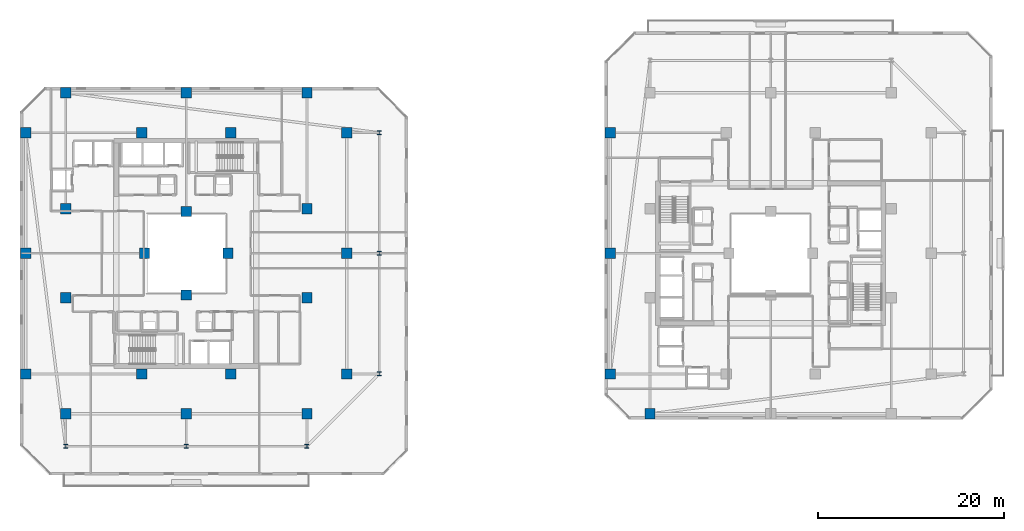
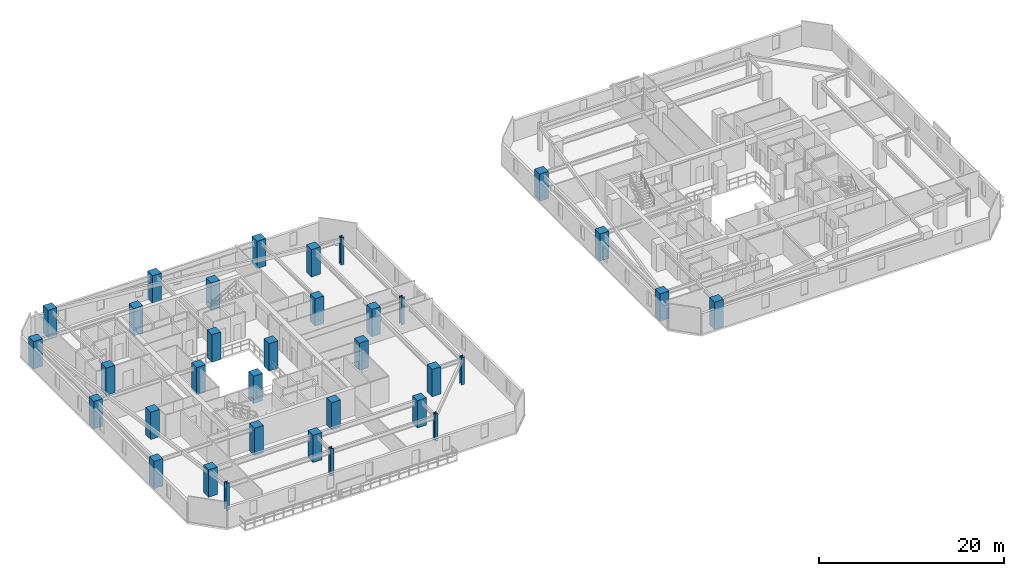
# One storey, part 1 of 33: 34 columns.
"""IFC4 building model written with IfcOpenShell, lengths in metres."""

from ifc_helpers import new_model, si_unit, direction, frame, origin, origin_2d, place, context, subcontext, project, spatial, rectangle, i_section, extrude, material, material_profile, profile_set, type_object, element, save


model = new_model("IFC4")

# Units and contexts
model_context = context("Model", 3, precision=1e-05, world=origin(), true_north=direction((0.0, 1.0)))
body_context = subcontext(model_context, "Body", "Model", "MODEL_VIEW")
ifc_project = project(units=[si_unit("LENGTHUNIT", "METRE"), si_unit("AREAUNIT", "SQUARE_METRE"), si_unit("VOLUMEUNIT", "CUBIC_METRE"), si_unit("PLANEANGLEUNIT", "RADIAN"), si_unit("MASSUNIT", "GRAM", prefix="KILO")], contexts=[model_context])

# Site, building, storey
site_placement = place(None, origin())
site = spatial("IfcSite", under=ifc_project, at=site_placement, CompositionType="ELEMENT")
building_placement = place(site_placement, origin())
building = spatial("IfcBuilding", under=site, at=building_placement, Name="Thornwick Lancets Civic Towers", CompositionType="ELEMENT")
storey_placement = place(building_placement, frame((0.0, 0.0, 163.5)))
storey = spatial("IfcBuildingStorey", under=building, at=storey_placement, Name="L43", CompositionType="ELEMENT", Elevation=163.5)

# Columns
ifc_material_1 = material(Name="Concrete C50/60", Category="concrete")
ifc_material_profile_1 = material_profile(ifc_material_1, rectangle(XDim=1.10009765625, YDim=1.10009765625, at=origin_2d()), Name="RC 1100x1100")
ifc_profile_set_1 = profile_set([ifc_material_profile_1], Name="Concrete C50/60")
column_type_1 = type_object("IfcColumnType", Name="COL_RC_1100", PredefinedType="COLUMN", material=ifc_profile_set_1)
for number, where, z_axis, x_axis, name in (
    (1, (12.5, 9.699951171875, 0.0), (0.0, 0.0, 1.0), (1.0, 0.0, 0.0), "L43 Spine Mega-Column A01"),
    (2, (25.5, 9.699951171875, 0.0), (0.0, 0.0, 1.0), (1.0, 0.0, 0.0), "L43 Spine Mega-Column A02"),
    (3, (38.5, 9.699951171875, 0.0), (0.0, 0.0, 1.0), (1.0, 0.0, 0.0), "L43 Spine Mega-Column A03"),
    (4, (42.800048828125, 14.0, 0.0), (0.0, 0.0, 1.0), (1.0, 0.0, 0.0), "L43 Spine Mega-Column A04"),
    (5, (42.800048828125, 27.0, 0.0), (0.0, 0.0, 1.0), (1.0, 0.0, 0.0), "L43 Spine Mega-Column A05"),
    (6, (42.800048828125, 40.0, 0.0), (0.0, 0.0, 1.0), (1.0, 0.0, 0.0), "L43 Spine Mega-Column A06"),
    (7, (12.5, 44.300048828125, 0.0), (0.0, 0.0, 1.0), (1.0, 0.0, 0.0), "L43 Spine Mega-Column A07"),
    (8, (25.5, 44.300048828125, 0.0), (0.0, 0.0, 1.0), (1.0, 0.0, 0.0), "L43 Spine Mega-Column A08"),
    (9, (38.5, 44.300048828125, 0.0), (0.0, 0.0, 1.0), (1.0, 0.0, 0.0), "L43 Spine Mega-Column A09"),
    (10, (8.199951171875, 14.0, 0.0), (0.0, 0.0, 1.0), (1.0, 0.0, 0.0), "L43 Spine Mega-Column A10"),
    (11, (8.199951171875, 27.0, 0.0), (0.0, 0.0, 1.0), (1.0, 0.0, 0.0), "L43 Spine Mega-Column A11"),
    (12, (8.199951171875, 40.0, 0.0), (0.0, 0.0, 1.0), (1.0, 0.0, 0.0), "L43 Spine Mega-Column A12"),
    (13, (12.5, 22.199951171875, 0.0), (0.0, 0.0, 1.0), (1.0, 0.0, 0.0), "L43 Spine Mega-Column A13"),
    (14, (38.5, 22.199951171875, 0.0), (0.0, 0.0, 1.0), (1.0, 0.0, 0.0), "L43 Spine Mega-Column A14"),
    (15, (12.5, 31.800048828125, 0.0), (0.0, 0.0, 1.0), (1.0, 0.0, 0.0), "L43 Spine Mega-Column A15"),
    (16, (38.5, 31.800048828125, 0.0), (0.0, 0.0, 1.0), (1.0, 0.0, 0.0), "L43 Spine Mega-Column A16"),
    (17, (20.699951171875, 14.0, 0.0), (0.0, 0.0, 1.0), (1.0, 0.0, 0.0), "L43 Spine Mega-Column A17"),
    (18, (30.300048828125, 14.0, 0.0), (0.0, 0.0, 1.0), (1.0, 0.0, 0.0), "L43 Spine Mega-Column A18"),
    (19, (20.699951171875, 40.0, 0.0), (0.0, 0.0, 1.0), (1.0, 0.0, 0.0), "L43 Spine Mega-Column A19"),
    (20, (30.300048828125, 40.0, 0.0), (0.0, 0.0, 1.0), (1.0, 0.0, 0.0), "L43 Spine Mega-Column A20"),
    (21, (25.5, 22.5, 0.0), (0.0, 0.0, 1.0), (1.0, 0.0, 0.0), "L43 Spine Mega-Column A21"),
    (22, (25.5, 31.5, 0.0), (0.0, 0.0, 1.0), (1.0, 0.0, 0.0), "L43 Spine Mega-Column A22"),
    (23, (21.0, 27.0, 0.0), (0.0, 0.0, 1.0), (1.0, 0.0, 0.0), "L43 Spine Mega-Column A23"),
    (24, (30.0, 27.0, 0.0), (0.0, 0.0, 1.0), (1.0, 0.0, 0.0), "L43 Spine Mega-Column A24"),
    (25, (71.199951171875, 14.0, 0.0), (0.0, 0.0, 1.0), (1.0, 0.0, 0.0), "L43 Spine Mega-Column B07"),
    (26, (71.199951171875, 27.0, 0.0), (0.0, 0.0, 1.0), (1.0, 0.0, 0.0), "L43 Spine Mega-Column B08"),
    (27, (71.199951171875, 40.0, 0.0), (0.0, 0.0, 1.0), (1.0, 0.0, 0.0), "L43 Spine Mega-Column B09"),
    (28, (75.5, 9.699951171875, 0.0), (0.0, 0.0, 1.0), (1.0, 0.0, 0.0), "L43 Spine Mega-Column B12"),
):
    element("IfcColumn", number, at=place(storey_placement, frame(where, z_axis=z_axis, x_axis=x_axis)), inside=storey, type_object=column_type_1, Name=name, PredefinedType="COLUMN", context=body_context, shape_type="SweptSolid", body=[
        extrude(rectangle(XDim=1.10009765625, YDim=1.10009765625, at=origin_2d()), origin(), (0.0, 0.0, 1.0), 3.60009765625),
    ])
ifc_material_2 = material(Name="Steel S460M", Category="steel")
ifc_material_profile_2 = material_profile(ifc_material_2, i_section(OverallWidth=0.406982421875, OverallDepth=0.4189453125, WebThickness=0.030517578125, FlangeThickness=0.04931640625, FilletRadius=0.01513671875, at=origin_2d()), Name="UKC 356x406x393")
ifc_profile_set_2 = profile_set([ifc_material_profile_2], Name="Steel S460M")
column_type_2 = type_object("IfcColumnType", Name="COL_UKC_393", PredefinedType="COLUMN", material=ifc_profile_set_2)
for number, where, z_axis, x_axis, name in (
    (29, (12.5, 6.199951171875, 0.0), (0.0, 0.0, 1.0), (1.0, 0.0, 0.0), "L43 Block Perimeter Column A01"),
    (30, (25.5, 6.199951171875, 0.0), (0.0, 0.0, 1.0), (1.0, 0.0, 0.0), "L43 Block Perimeter Column A02"),
    (31, (38.5, 6.199951171875, 0.0), (0.0, 0.0, 1.0), (1.0, 0.0, 0.0), "L43 Block Perimeter Column A03"),
    (32, (46.300048828125, 14.0, 0.0), (0.0, 0.0, 1.0), (1.0, 0.0, 0.0), "L43 Block Perimeter Column A04"),
    (33, (46.300048828125, 27.0, 0.0), (0.0, 0.0, 1.0), (1.0, 0.0, 0.0), "L43 Block Perimeter Column A05"),
    (34, (46.300048828125, 40.0, 0.0), (0.0, 0.0, 1.0), (1.0, 0.0, 0.0), "L43 Block Perimeter Column A06"),
):
    element("IfcColumn", number, at=place(storey_placement, frame(where, z_axis=z_axis, x_axis=x_axis)), inside=storey, type_object=column_type_2, Name=name, PredefinedType="COLUMN", context=body_context, shape_type="SweptSolid", body=[
        extrude(i_section(OverallWidth=0.406982421875, OverallDepth=0.4189453125, WebThickness=0.030517578125, FlangeThickness=0.04931640625, FilletRadius=0.01513671875, at=origin_2d()), origin(), (0.0, 0.0, 1.0), 3.60009765625),
    ])

save(model, "model.ifc")
